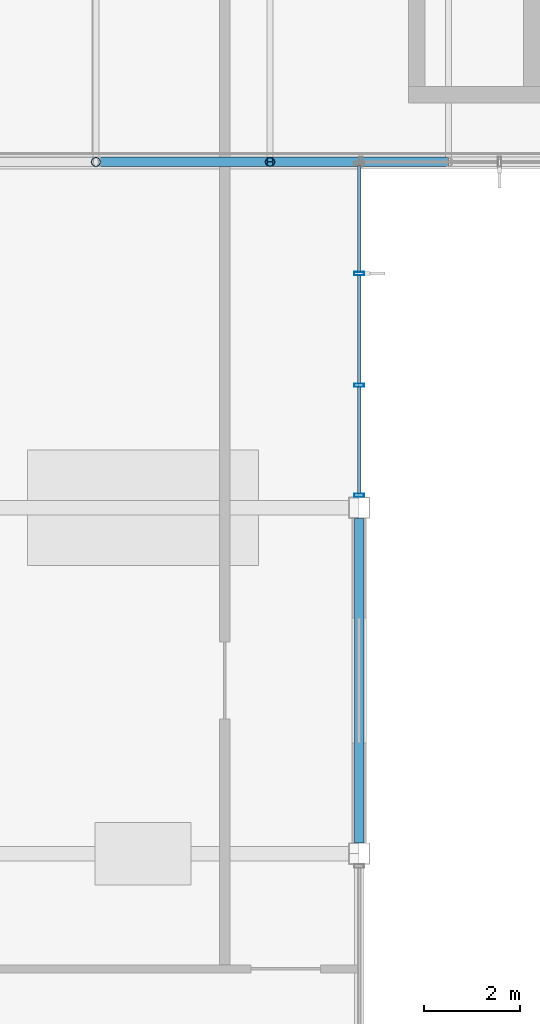
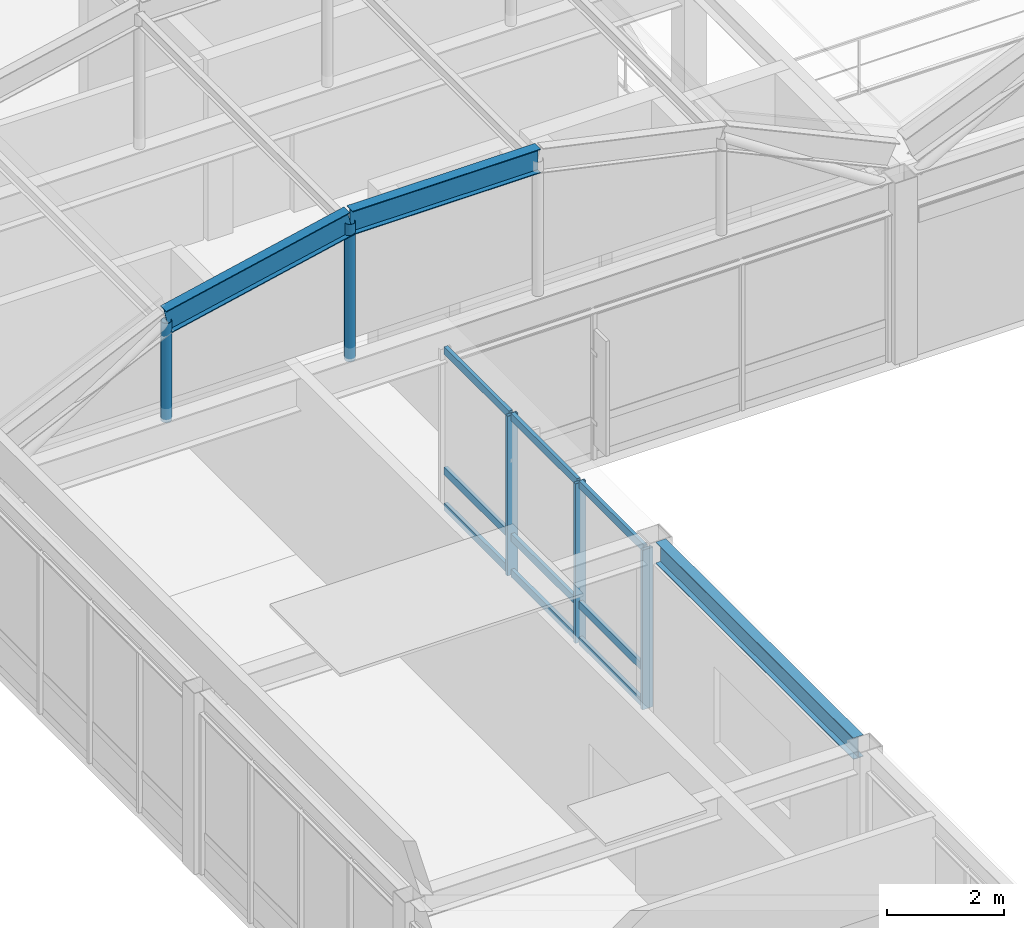
# One storey, part 20 of 106: 16 members, 1 beam, 1 element without a shape of its own.
"""IFC4 building model written with IfcOpenShell, lengths in metres."""

from ifc_helpers import new_model, si_unit, direction, frame, origin, origin_2d, place, context, subcontext, project, spatial, hollow_rectangle, hollow_circle, i_section, extrude, material, material_profile, profile_set, type_object, element, aggregate, save


model = new_model("IFC4")

# Units and contexts
model_context = context("Model", 3, precision=1e-05, world=origin(), true_north=direction((0.0, 1.0)))
body_context = subcontext(model_context, "Body", "Model", "MODEL_VIEW")
ifc_project = project(units=[si_unit("LENGTHUNIT", "METRE"), si_unit("AREAUNIT", "SQUARE_METRE"), si_unit("VOLUMEUNIT", "CUBIC_METRE"), si_unit("PLANEANGLEUNIT", "RADIAN"), si_unit("MASSUNIT", "GRAM", prefix="KILO")], contexts=[model_context])

# Site, building, storey
site_placement = place(None, origin())
site = spatial("IfcSite", under=ifc_project, at=site_placement, CompositionType="ELEMENT")
building_placement = place(site_placement, origin())
building = spatial("IfcBuilding", under=site, at=building_placement, Name="Kazanami Central Library", CompositionType="ELEMENT")
storey_placement = place(building_placement, frame((0.0, 0.0, 12.800048828125)))
storey = spatial("IfcBuildingStorey", under=building, at=storey_placement, Name="L04", CompositionType="ELEMENT", Elevation=12.800048828125)

# Beam
ifc_material_1 = material(Name="Steel SN490B (325 MPa)", Category="steel")
ifc_material_profile_1 = material_profile(ifc_material_1, i_section(OverallWidth=0.199951171875, OverallDepth=0.449951171875, WebThickness=0.009033203125, FlangeThickness=0.013916015625, at=origin_2d()), Name="H-450x200x9x14")
ifc_profile_set_1 = profile_set([ifc_material_profile_1], Name="Steel SN490B (325 MPa)")
beam_type = type_object("IfcBeamType", Name="BM-SP-2", PredefinedType="SPANDREL", material=ifc_profile_set_1)
beam_placement = place(storey_placement, frame((54.0, 50.623046875, 3.554931640625), z_axis=(0.0, 1.0, 0.0), x_axis=(-1.0, 0.0, 0.0)))
element("IfcBeam", 1, at=beam_placement, inside=storey, type_object=beam_type, Name="Girder SP-2 L04 7/H-J", PredefinedType="SPANDREL", context=body_context, shape_type="SweptSolid", body=[
    extrude(i_section(OverallWidth=0.199951171875, OverallDepth=0.449951171875, WebThickness=0.009033203125, FlangeThickness=0.013916015625, at=origin_2d()), origin(), (0.0, 0.0, 1.0), 6.75390625),
])

# Members
ifc_material_profile_2 = material_profile(ifc_material_1, i_section(OverallWidth=0.199951171875, OverallDepth=0.5, WebThickness=0.010009765625, FlangeThickness=0.01611328125, at=origin_2d()), Name="H-500x200x10x16")
ifc_profile_set_2 = profile_set([ifc_material_profile_2], Name="Steel SN490B (325 MPa)")
member_type_1 = type_object("IfcMemberType", Name="MEM-AR-02", PredefinedType="CHORD", material=ifc_profile_set_2)
for number, where, z_axis, x_axis, name in (
    (2, (48.519775390625, 64.800048828125, 5.80908203125), (0.976745687277, 0.0, 0.214401171606), (0.0, 1.0, 0.0), "Barrel Vault Arch Rib AR-02 VAULT-WEST Grid K Seg 2"),
    (3, (52.14453125, 64.800048828125, 6.604736328125), (1.0, 0.0, 0.0), (0.0, 1.0, 0.0), "Barrel Vault Arch Rib AR-02 VAULT-WEST Grid K Seg 3"),
):
    element("IfcMember", number, at=place(storey_placement, frame(where, z_axis=z_axis, x_axis=x_axis)), inside=storey, type_object=member_type_1, Name=name, PredefinedType="CHORD", context=body_context, shape_type="SweptSolid", body=[
        extrude(i_section(OverallWidth=0.199951171875, OverallDepth=0.5, WebThickness=0.010009765625, FlangeThickness=0.01611328125, at=origin_2d()), origin(), (0.0, 0.0, 1.0), 3.7109375),
    ])

# Curtain wall, members
ifc_material_2 = material(Name="Acid-Etched Low-E Laminated Glass", Category="glass")
curtain_wall_type = type_object("IfcCurtainWallType", Name="CW-6975x3330-M275", PredefinedType="USERDEFINED", material=ifc_material_2)
curtain_wall_placement = place(storey_placement, origin())
curtain_wall = element("IfcCurtainWall", 4, at=curtain_wall_placement, inside=storey, type_object=curtain_wall_type, Name="Unitised Curtain Wall CW-46 L04 E-7-08", ObjectType="UNITISED CURTAIN WALL", PredefinedType="USERDEFINED")
ifc_material_3 = material(Name="Anodised Aluminium A6063-T5", Category="aluminium")
ifc_material_profile_3 = material_profile(ifc_material_3, hollow_rectangle(XDim=0.070068359375, YDim=0.2099609375, WallThickness=0.0048828125, at=origin_2d()), Name="ALU-MULL-70x210x5")
ifc_profile_set_3 = profile_set([ifc_material_profile_3], Name="Anodised Aluminium A6063-T5")
member_type_2 = type_object("IfcMemberType", Name="MEM-CW-M1", PredefinedType="MULLION", material=ifc_profile_set_3)
member_1_placement = place(storey_placement, frame((54.0, 62.47509765625, 0.0), z_axis=(0.0, 0.0, 1.0), x_axis=(0.0, -1.0, 0.0)))
member_1 = element("IfcMember", 5, at=member_1_placement, type_object=member_type_2, Name="CW-46 mullion 2", PredefinedType="MULLION", context=body_context, shape_type="SweptSolid", body=[
    extrude(hollow_rectangle(XDim=0.070068359375, YDim=0.2099609375, WallThickness=0.0048828125, at=origin_2d()), origin(), (0.0, 0.0, 1.0), 3.329833984375),
])
member_2_placement = place(storey_placement, frame((54.0, 60.14990234375, 0.0), z_axis=(0.0, 0.0, 1.0), x_axis=(0.0, -1.0, 0.0)))
member_2 = element("IfcMember", 6, at=member_2_placement, type_object=member_type_2, Name="CW-46 mullion 3", PredefinedType="MULLION", context=body_context, shape_type="SweptSolid", body=[
    extrude(hollow_rectangle(XDim=0.070068359375, YDim=0.2099609375, WallThickness=0.0048828125, at=origin_2d()), origin(), (0.0, 0.0, 1.0), 3.329833984375),
])
member_3_placement = place(storey_placement, frame((54.0, 57.860107421875, 0.0), z_axis=(0.0, 0.0, 1.0), x_axis=(0.0, -1.0, 0.0)))
member_3 = element("IfcMember", 7, at=member_3_placement, type_object=member_type_2, Name="CW-46 mullion 4", PredefinedType="MULLION", context=body_context, shape_type="SweptSolid", body=[
    extrude(hollow_rectangle(XDim=0.070068359375, YDim=0.2099609375, WallThickness=0.0048828125, at=origin_2d()), origin(), (0.0, 0.0, 1.0), 3.329833984375),
])
ifc_material_profile_4 = material_profile(ifc_material_3, hollow_rectangle(XDim=0.070068359375, YDim=0.159912109375, WallThickness=0.00390625, at=origin_2d()), Name="ALU-TRAN-70x160x4")
ifc_profile_set_4 = profile_set([ifc_material_profile_4], Name="Anodised Aluminium A6063-T5")
member_type_3 = type_object("IfcMemberType", Name="MEM-CW-T1", PredefinedType="USERDEFINED", material=ifc_profile_set_4)
member_4_placement = place(storey_placement, frame((54.0, 64.72998046875, 0.034912109375), z_axis=(0.0, -1.0, 0.0), x_axis=(1.0, 0.0, 0.0)))
member_4 = element("IfcMember", 8, at=member_4_placement, type_object=member_type_3, Name="CW-46 transom 1.1", ObjectType="TRANSOM", PredefinedType="USERDEFINED", context=body_context, shape_type="SweptSolid", body=[
    extrude(hollow_rectangle(XDim=0.070068359375, YDim=0.159912109375, WallThickness=0.00390625, at=origin_2d()), origin(), (0.0, 0.0, 1.0), 2.219970703125),
])
member_5_placement = place(storey_placement, frame((54.0, 64.72998046875, 0.780029296875), z_axis=(0.0, -1.0, 0.0), x_axis=(1.0, 0.0, 0.0)))
member_5 = element("IfcMember", 9, at=member_5_placement, type_object=member_type_3, Name="CW-46 transom 1.2", ObjectType="TRANSOM", PredefinedType="USERDEFINED", context=body_context, shape_type="SweptSolid", body=[
    extrude(hollow_rectangle(XDim=0.070068359375, YDim=0.159912109375, WallThickness=0.00390625, at=origin_2d()), origin(), (0.0, 0.0, 1.0), 2.219970703125),
])
member_6_placement = place(storey_placement, frame((54.0, 64.72998046875, 3.294921875), z_axis=(0.0, -1.0, 0.0), x_axis=(1.0, 0.0, 0.0)))
member_6 = element("IfcMember", 10, at=member_6_placement, type_object=member_type_3, Name="CW-46 transom 1.3", ObjectType="TRANSOM", PredefinedType="USERDEFINED", context=body_context, shape_type="SweptSolid", body=[
    extrude(hollow_rectangle(XDim=0.070068359375, YDim=0.159912109375, WallThickness=0.00390625, at=origin_2d()), origin(), (0.0, 0.0, 1.0), 2.219970703125),
])
member_7_placement = place(storey_placement, frame((54.0, 62.43994140625, 0.034912109375), z_axis=(0.0, -1.0, 0.0), x_axis=(1.0, 0.0, 0.0)))
member_7 = element("IfcMember", 11, at=member_7_placement, type_object=member_type_3, Name="CW-46 transom 2.1", ObjectType="TRANSOM", PredefinedType="USERDEFINED", context=body_context, shape_type="SweptSolid", body=[
    extrude(hollow_rectangle(XDim=0.070068359375, YDim=0.159912109375, WallThickness=0.00390625, at=origin_2d()), origin(), (0.0, 0.0, 1.0), 2.2548828125),
])
member_8_placement = place(storey_placement, frame((54.0, 62.43994140625, 0.780029296875), z_axis=(0.0, -1.0, 0.0), x_axis=(1.0, 0.0, 0.0)))
member_8 = element("IfcMember", 12, at=member_8_placement, type_object=member_type_3, Name="CW-46 transom 2.2", ObjectType="TRANSOM", PredefinedType="USERDEFINED", context=body_context, shape_type="SweptSolid", body=[
    extrude(hollow_rectangle(XDim=0.070068359375, YDim=0.159912109375, WallThickness=0.00390625, at=origin_2d()), origin(), (0.0, 0.0, 1.0), 2.2548828125),
])
member_9_placement = place(storey_placement, frame((54.0, 62.43994140625, 3.294921875), z_axis=(0.0, -1.0, 0.0), x_axis=(1.0, 0.0, 0.0)))
member_9 = element("IfcMember", 13, at=member_9_placement, type_object=member_type_3, Name="CW-46 transom 2.3", ObjectType="TRANSOM", PredefinedType="USERDEFINED", context=body_context, shape_type="SweptSolid", body=[
    extrude(hollow_rectangle(XDim=0.070068359375, YDim=0.159912109375, WallThickness=0.00390625, at=origin_2d()), origin(), (0.0, 0.0, 1.0), 2.2548828125),
])
member_10_placement = place(storey_placement, frame((54.0, 60.114990234375, 0.034912109375), z_axis=(0.0, -1.0, 0.0), x_axis=(1.0, 0.0, 0.0)))
member_10 = element("IfcMember", 14, at=member_10_placement, type_object=member_type_3, Name="CW-46 transom 3.1", ObjectType="TRANSOM", PredefinedType="USERDEFINED", context=body_context, shape_type="SweptSolid", body=[
    extrude(hollow_rectangle(XDim=0.070068359375, YDim=0.159912109375, WallThickness=0.00390625, at=origin_2d()), origin(), (0.0, 0.0, 1.0), 2.219970703125),
])
member_11_placement = place(storey_placement, frame((54.0, 60.114990234375, 0.780029296875), z_axis=(0.0, -1.0, 0.0), x_axis=(1.0, 0.0, 0.0)))
member_11 = element("IfcMember", 15, at=member_11_placement, type_object=member_type_3, Name="CW-46 transom 3.2", ObjectType="TRANSOM", PredefinedType="USERDEFINED", context=body_context, shape_type="SweptSolid", body=[
    extrude(hollow_rectangle(XDim=0.070068359375, YDim=0.159912109375, WallThickness=0.00390625, at=origin_2d()), origin(), (0.0, 0.0, 1.0), 2.219970703125),
])
member_12_placement = place(storey_placement, frame((54.0, 60.114990234375, 3.294921875), z_axis=(0.0, -1.0, 0.0), x_axis=(1.0, 0.0, 0.0)))
member_12 = element("IfcMember", 16, at=member_12_placement, type_object=member_type_3, Name="CW-46 transom 3.3", ObjectType="TRANSOM", PredefinedType="USERDEFINED", context=body_context, shape_type="SweptSolid", body=[
    extrude(hollow_rectangle(XDim=0.070068359375, YDim=0.159912109375, WallThickness=0.00390625, at=origin_2d()), origin(), (0.0, 0.0, 1.0), 2.219970703125),
])
aggregate(curtain_wall, [member_1, member_2, member_3, member_4, member_5, member_6, member_7, member_8, member_9, member_10, member_11, member_12])

# Members
ifc_material_4 = material(Name="Steel STK490 (315 MPa)", Category="steel")
ifc_material_profile_5 = material_profile(ifc_material_4, hollow_circle(Radius=0.095458984375, WallThickness=0.007080078125, at=origin_2d()), Name="CHS-190.7x7.0")
ifc_profile_set_5 = profile_set([ifc_material_profile_5], Name="Steel STK490 (315 MPa)")
member_type_4 = type_object("IfcMemberType", Name="MEM-VST-190", PredefinedType="STRUT", material=ifc_profile_set_5)
member_13_placement = place(storey_placement, frame((48.519775390625, 64.800048828125, 3.71484375), z_axis=(0.0, 0.0, 1.0), x_axis=(1.0, 0.0, 0.0)))
element("IfcMember", 17, at=member_13_placement, inside=storey, type_object=member_type_4, Name="Barrel Vault Tied-Arch Web Strut VAULT-WEST Grid K Knuckle 1", PredefinedType="STRUT", context=body_context, shape_type="SweptSolid", body=[
    extrude(hollow_circle(Radius=0.095458984375, WallThickness=0.007080078125, at=origin_2d()), origin(), (0.0, 0.0, 1.0), 2.07421875),
])
member_14_placement = place(storey_placement, frame((52.14453125, 64.800048828125, 3.71484375), z_axis=(0.0, 0.0, 1.0), x_axis=(1.0, 0.0, 0.0)))
element("IfcMember", 18, at=member_14_placement, inside=storey, type_object=member_type_4, Name="Barrel Vault Tied-Arch Web Strut VAULT-WEST Grid K Knuckle 2", PredefinedType="STRUT", context=body_context, shape_type="SweptSolid", body=[
    extrude(hollow_circle(Radius=0.095458984375, WallThickness=0.007080078125, at=origin_2d()), origin(), (0.0, 0.0, 1.0), 2.869873046875),
])

save(model, "model.ifc")
